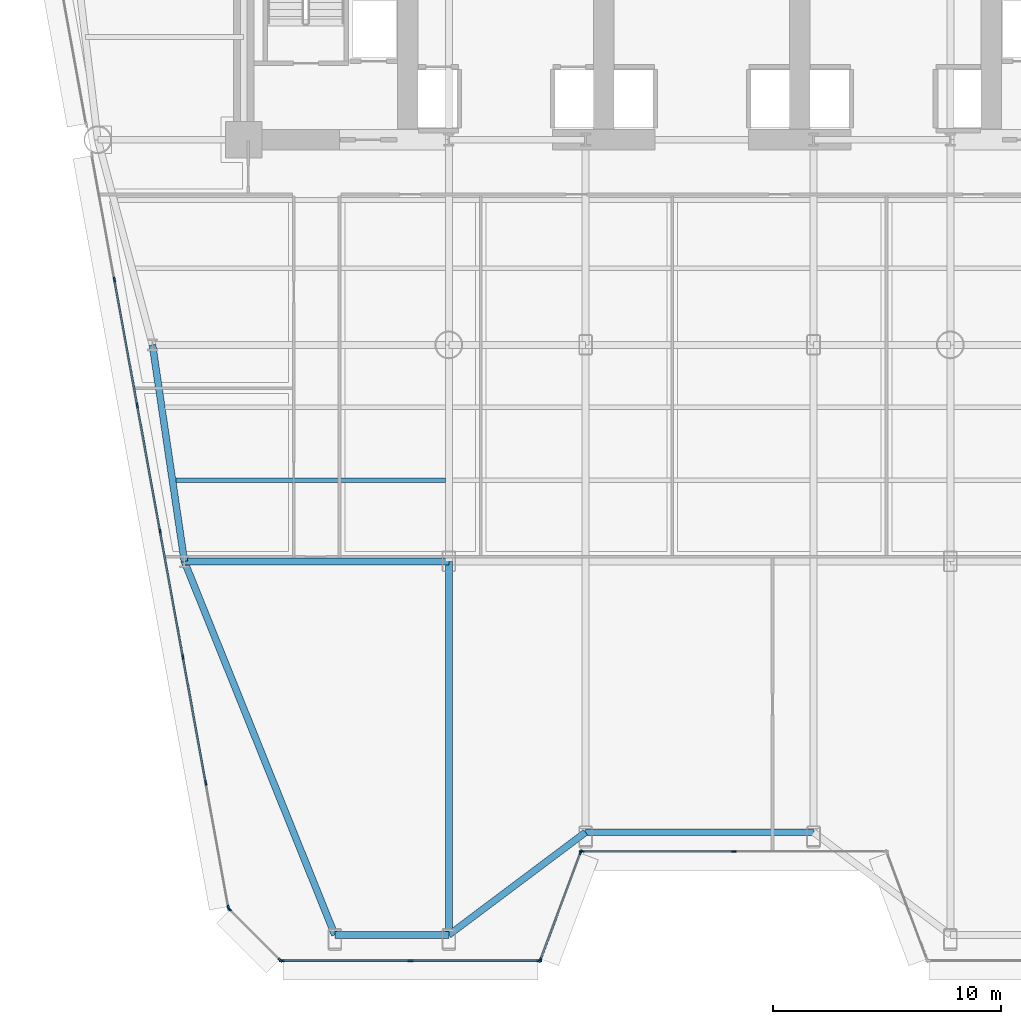
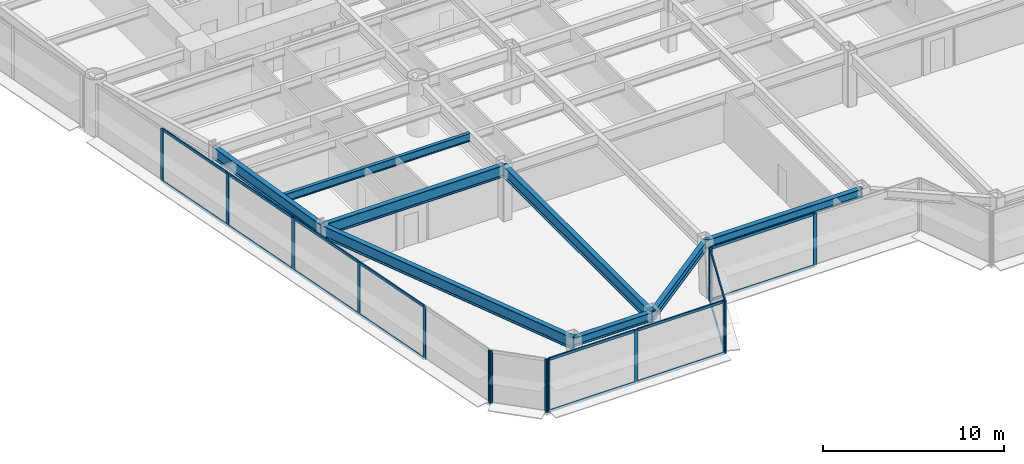
# One storey, part 2 of 14: 31 members, 8 beams, 5 elements without a shape of their own.
"""IFC4 building model written with IfcOpenShell, lengths in metres."""

from ifc_helpers import new_model, si_unit, direction, frame, origin, origin_2d, place, context, subcontext, project, spatial, rectangle, i_section, extrude, source, transform, mapped, material, layer, layer_set, material_profile, profile_set, type_object, element, aggregate, save


model = new_model("IFC4")

# Units and contexts
model_context = context("Model", 3, precision=1e-05, world=origin(), true_north=direction((0.0, 1.0)))
body_context = subcontext(model_context, "Body", "Model", "MODEL_VIEW")
ifc_project = project(units=[si_unit("LENGTHUNIT", "METRE"), si_unit("AREAUNIT", "SQUARE_METRE"), si_unit("VOLUMEUNIT", "CUBIC_METRE"), si_unit("PLANEANGLEUNIT", "RADIAN"), si_unit("MASSUNIT", "GRAM", prefix="KILO")], contexts=[model_context])

# Site, building, storey
site_placement = place(None, origin())
site = spatial("IfcSite", under=ifc_project, at=site_placement, CompositionType="ELEMENT")
building_placement = place(site_placement, origin())
building = spatial("IfcBuilding", under=site, at=building_placement, Name="Vaeldorn Concourse Tower", CompositionType="ELEMENT")
storey_placement = place(building_placement, frame((0.0, 0.0, 26.39990234375)))
storey = spatial("IfcBuildingStorey", under=building, at=storey_placement, Name="L06", CompositionType="ELEMENT", Elevation=26.39990234375)

# Beams
ifc_material_1 = material(Name="Steel S355", Category="steel")
ifc_material_profile_1 = material_profile(ifc_material_1, i_section(OverallWidth=0.300048828125, OverallDepth=0.60009765625, WebThickness=0.015380859375, FlangeThickness=0.030029296875, FilletRadius=0.027099609375, at=origin_2d()), Name="HEB 600")
ifc_profile_set_1 = profile_set([ifc_material_profile_1], Name="Steel S355")
beam_type_1 = type_object("IfcBeamType", Name="BM-SP-HEB600", PredefinedType="SPANDREL", material=ifc_profile_set_1)
shared_shape_1 = source(origin(), body_context, "Body", "SweptSolid", [
    extrude(i_section(OverallWidth=0.300048828125, OverallDepth=0.60009765625, WebThickness=0.015380859375, FlangeThickness=0.030029296875, FilletRadius=0.027099609375, at=origin_2d()), origin(), (0.0, 0.0, 1.0), 5.0),
])
beam_1_placement = place(storey_placement, frame((18.0, 1.6171875, 3.280029296875), z_axis=(1.0, 0.0, 0.0), x_axis=(0.0, 1.0, 0.0)))
element("IfcBeam", 1, at=beam_1_placement, inside=storey, type_object=beam_type_1, Name="Beam BM-L06-C-SF1-C-SF2", PredefinedType="SPANDREL", context=body_context, shape_type="MappedRepresentation", body=[
    mapped(shared_shape_1, transform((0.0, 0.0, 0.0), scale=1.0)),
])
shared_shape_2 = source(origin(), body_context, "Body", "SweptSolid", [
    extrude(i_section(OverallWidth=0.300048828125, OverallDepth=0.60009765625, WebThickness=0.015380859375, FlangeThickness=0.030029296875, FilletRadius=0.027099609375, at=origin_2d()), origin(), (0.0, 0.0, 1.0), 7.5),
])
beam_2_placement = place(storey_placement, frame((23.0, 1.6171875, 3.280029296875), z_axis=(0.8, 0.6, 0.0), x_axis=(-0.6, 0.8, 0.0)))
element("IfcBeam", 2, at=beam_2_placement, inside=storey, type_object=beam_type_1, Name="Beam BM-L06-C-SF2-C-SF3", PredefinedType="SPANDREL", context=body_context, shape_type="MappedRepresentation", body=[
    mapped(shared_shape_2, transform((0.0, 0.0, 0.0), scale=1.0)),
])
shared_shape_3 = source(origin(), body_context, "Body", "SweptSolid", [
    extrude(i_section(OverallWidth=0.300048828125, OverallDepth=0.60009765625, WebThickness=0.015380859375, FlangeThickness=0.030029296875, FilletRadius=0.027099609375, at=origin_2d()), origin(), (0.0, 0.0, 1.0), 10.0),
])
beam_3_placement = place(storey_placement, frame((29.0, 6.1171875, 3.280029296875), z_axis=(1.0, 0.0, 0.0), x_axis=(0.0, 1.0, 0.0)))
element("IfcBeam", 3, at=beam_3_placement, inside=storey, type_object=beam_type_1, Name="Beam BM-L06-C-SF3-C-SF4", PredefinedType="SPANDREL", context=body_context, shape_type="MappedRepresentation", body=[
    mapped(shared_shape_3, transform((0.0, 0.0, 0.0), scale=1.0)),
])
ifc_material_profile_2 = material_profile(ifc_material_1, i_section(OverallWidth=0.300048828125, OverallDepth=0.800048828125, WebThickness=0.017578125, FlangeThickness=0.032958984375, FilletRadius=0.030029296875, at=origin_2d()), Name="HEB 800")
ifc_profile_set_2 = profile_set([ifc_material_profile_2], Name="Steel S355")
beam_type_2 = type_object("IfcBeamType", Name="BM-PG-HEB800", PredefinedType="BEAM", material=ifc_profile_set_2)
shared_shape_4 = source(origin(), body_context, "Body", "SweptSolid", [
    extrude(i_section(OverallWidth=0.300048828125, OverallDepth=0.800048828125, WebThickness=0.017578125, FlangeThickness=0.032958984375, FilletRadius=0.030029296875, at=origin_2d()), origin(), (0.0, 0.0, 1.0), 9.6025390625),
])
beam_4_placement = place(storey_placement, frame((10.0, 27.5, 3.18017578125), z_axis=(0.145783835977, -0.989316467652, 0.0), x_axis=(0.989316467652, 0.145783835977, 0.0)))
element("IfcBeam", 4, at=beam_4_placement, inside=storey, type_object=beam_type_2, Name="Beam BM-L06-C-FLW1-C-FLW2", PredefinedType="BEAM", context=body_context, shape_type="MappedRepresentation", body=[
    mapped(shared_shape_4, transform((0.0, 0.0, 0.0), scale=1.0)),
])
shared_shape_5 = source(origin(), body_context, "Body", "SweptSolid", [
    extrude(i_section(OverallWidth=0.300048828125, OverallDepth=0.800048828125, WebThickness=0.017578125, FlangeThickness=0.032958984375, FilletRadius=0.030029296875, at=origin_2d()), origin(), (0.0, 0.0, 1.0), 11.60009765625),
])
beam_5_placement = place(storey_placement, frame((11.39990234375, 18.0, 3.18017578125), z_axis=(1.0, 0.0, 0.0), x_axis=(0.0, 1.0, 0.0)))
element("IfcBeam", 5, at=beam_5_placement, inside=storey, type_object=beam_type_2, Name="Beam BM-L06-C-FLW2-C-TW5", PredefinedType="BEAM", context=body_context, shape_type="MappedRepresentation", body=[
    mapped(shared_shape_5, transform((0.0, 0.0, 0.0), scale=1.0)),
])
shared_shape_6 = source(origin(), body_context, "Body", "SweptSolid", [
    extrude(i_section(OverallWidth=0.300048828125, OverallDepth=0.800048828125, WebThickness=0.017578125, FlangeThickness=0.032958984375, FilletRadius=0.030029296875, at=origin_2d()), origin(), (0.0, 0.0, 1.0), 17.662353515625),
])
beam_6_placement = place(storey_placement, frame((18.0, 1.6171875, 3.18017578125), z_axis=(-0.373682201624, 0.927556797285, 0.0), x_axis=(-0.927556797285, -0.373682201624, 0.0)))
element("IfcBeam", 6, at=beam_6_placement, inside=storey, type_object=beam_type_2, Name="Beam BM-L06-C-SF1-C-FLW2", PredefinedType="BEAM", context=body_context, shape_type="MappedRepresentation", body=[
    mapped(shared_shape_6, transform((0.0, 0.0, 0.0), scale=1.0)),
])
shared_shape_7 = source(origin(), body_context, "Body", "SweptSolid", [
    extrude(i_section(OverallWidth=0.300048828125, OverallDepth=0.800048828125, WebThickness=0.017578125, FlangeThickness=0.032958984375, FilletRadius=0.030029296875, at=origin_2d()), origin(), (0.0, 0.0, 1.0), 16.3828125),
])
beam_7_placement = place(storey_placement, frame((23.0, 1.6171875, 3.18017578125), z_axis=(0.0, 1.0, 0.0), x_axis=(-1.0, 0.0, 0.0)))
element("IfcBeam", 7, at=beam_7_placement, inside=storey, type_object=beam_type_2, Name="Beam BM-L06-C-SF2-C-TW5", PredefinedType="BEAM", context=body_context, shape_type="MappedRepresentation", body=[
    mapped(shared_shape_7, transform((0.0, 0.0, 0.0), scale=1.0)),
])
ifc_material_profile_3 = material_profile(ifc_material_1, i_section(OverallWidth=0.2099609375, OverallDepth=0.550048828125, WebThickness=0.010986328125, FlangeThickness=0.01708984375, FilletRadius=0.02392578125, at=origin_2d()), Name="IPE 550")
ifc_profile_set_3 = profile_set([ifc_material_profile_3], Name="Steel S355")
beam_type_3 = type_object("IfcBeamType", Name="BM-JS-IPE550", PredefinedType="JOIST", material=ifc_profile_set_3)
shared_shape_8 = source(origin(), body_context, "Body", "SweptSolid", [
    extrude(i_section(OverallWidth=0.2099609375, OverallDepth=0.550048828125, WebThickness=0.010986328125, FlangeThickness=0.01708984375, FilletRadius=0.02392578125, at=origin_2d()), origin(), (0.0, 0.0, 1.0), 11.82470703125),
])
beam_8_placement = place(storey_placement, frame((11.025390625, 21.56005859375, 3.30517578125), z_axis=(1.0, 0.0, 0.0), x_axis=(0.0, 1.0, 0.0)))
element("IfcBeam", 8, at=beam_8_placement, inside=storey, type_object=beam_type_3, Name="Beam JS-L06-W1-215", PredefinedType="JOIST", context=body_context, shape_type="MappedRepresentation", body=[
    mapped(shared_shape_8, transform((0.0, 0.0, 0.0), scale=1.0)),
])

# Curtain wall, members
ifc_material_2 = material(Name="Anodised Bronze Aluminium", Category="aluminium")
ifc_layer = layer(ifc_material_2, 0.219970703125)
ifc_layer_set = layer_set([ifc_layer], Name="Anodised Bronze Aluminium")
curtain_wall_type = type_object("IfcCurtainWallType", Name="CW-SYS-01", PredefinedType="NOTDEFINED", material=ifc_layer_set)
curtain_wall_1_placement = place(storey_placement, origin())
curtain_wall_1 = element("IfcCurtainWall", 9, at=curtain_wall_1_placement, inside=storey, type_object=curtain_wall_type, Name="Unitised Curtain Wall CW-L06-E03-1", PredefinedType="NOTDEFINED")
ifc_material_profile_4 = material_profile(ifc_material_2, rectangle(XDim=0.074951171875, YDim=0.179931640625, at=origin_2d()), Name="CWT 75x180")
ifc_profile_set_4 = profile_set([ifc_material_profile_4], Name="Anodised Bronze Aluminium")
member_type_1 = type_object("IfcMemberType", Name="CWT-BRONZE-180", PredefinedType="USERDEFINED", material=ifc_profile_set_4)
shared_shape_9 = source(origin(), body_context, "Body", "SweptSolid", [
    extrude(rectangle(XDim=0.074951171875, YDim=0.179931640625, at=origin_2d()), origin(), (0.0, 0.0, 1.0), 6.58740234375),
])
member_1_placement = place(storey_placement, frame((28.875, 5.2783203125, 0.03759765625), z_axis=(1.0, 0.0, 0.0), x_axis=(0.0, 1.0, 0.0)))
member_1 = element("IfcMember", 10, at=member_1_placement, type_object=member_type_1, Name="CW-01 transom 1.1", ObjectType="TRANSOM", PredefinedType="USERDEFINED", context=body_context, shape_type="MappedRepresentation", body=[
    mapped(shared_shape_9, transform((0.0, 0.0, 0.0), scale=1.0)),
])
member_2_placement = place(storey_placement, frame((28.875, 5.2783203125, 3.54248046875), z_axis=(1.0, 0.0, 0.0), x_axis=(0.0, 1.0, 0.0)))
member_2 = element("IfcMember", 11, at=member_2_placement, type_object=member_type_1, Name="CW-01 transom 1.2", ObjectType="TRANSOM", PredefinedType="USERDEFINED", context=body_context, shape_type="MappedRepresentation", body=[
    mapped(shared_shape_9, transform((0.0, 0.0, 0.0), scale=1.0)),
])

curtain_wall_2_placement = place(storey_placement, origin())
curtain_wall_2 = element("IfcCurtainWall", 12, at=curtain_wall_2_placement, inside=storey, type_object=curtain_wall_type, Name="Unitised Curtain Wall CW-L06-E02-1", PredefinedType="NOTDEFINED")
shared_shape_10 = source(origin(), body_context, "Body", "SweptSolid", [
    extrude(rectangle(XDim=0.074951171875, YDim=0.179931640625, at=origin_2d()), origin(), (0.0, 0.0, 1.0), 4.9765625),
])
member_3_placement = place(storey_placement, frame((27.0263671875, 0.54833984375, 0.03759765625), z_axis=(0.351112688987, 0.936333209724, 0.0), x_axis=(-0.936333209724, 0.351112688987, 0.0)))
member_3 = element("IfcMember", 13, at=member_3_placement, type_object=member_type_1, Name="CW-01 transom 1.1", ObjectType="TRANSOM", PredefinedType="USERDEFINED", context=body_context, shape_type="MappedRepresentation", body=[
    mapped(shared_shape_10, transform((0.0, 0.0, 0.0), scale=1.0)),
])
member_4_placement = place(storey_placement, frame((27.0263671875, 0.54833984375, 3.54248046875), z_axis=(0.351112688987, 0.936333209724, 0.0), x_axis=(-0.936333209724, 0.351112688987, 0.0)))
member_4 = element("IfcMember", 14, at=member_4_placement, type_object=member_type_1, Name="CW-01 transom 1.2", ObjectType="TRANSOM", PredefinedType="USERDEFINED", context=body_context, shape_type="MappedRepresentation", body=[
    mapped(shared_shape_10, transform((0.0, 0.0, 0.0), scale=1.0)),
])

curtain_wall_3_placement = place(storey_placement, origin())
curtain_wall_3 = element("IfcCurtainWall", 15, at=curtain_wall_3_placement, inside=storey, type_object=curtain_wall_type, Name="Unitised Curtain Wall CW-L06-E01-1", PredefinedType="NOTDEFINED")
ifc_material_profile_5 = material_profile(ifc_material_2, rectangle(XDim=0.074951171875, YDim=0.219970703125, at=origin_2d()), Name="CWM 75x220")
ifc_profile_set_5 = profile_set([ifc_material_profile_5], Name="Anodised Bronze Aluminium")
member_type_2 = type_object("IfcMemberType", Name="CWM-BRONZE-220", PredefinedType="MULLION", material=ifc_profile_set_5)
shared_shape_11 = source(origin(), body_context, "Body", "SweptSolid", [
    extrude(rectangle(XDim=0.074951171875, YDim=0.219970703125, at=origin_2d()), origin(), (0.0, 0.0, 1.0), 3.580078125),
])
member_5_placement = place(storey_placement, frame((15.673583984375, 0.478271484375, 0.0), z_axis=(0.0, 0.0, 1.0), x_axis=(0.0, 1.0, 0.0)))
member_5 = element("IfcMember", 16, at=member_5_placement, type_object=member_type_2, Name="CW-01 mullion 1", PredefinedType="MULLION", context=body_context, shape_type="MappedRepresentation", body=[
    mapped(shared_shape_11, transform((0.0, 0.0, 0.0), scale=1.0)),
])
member_6_placement = place(storey_placement, frame((21.318115234375, 0.478271484375, 0.0), z_axis=(0.0, 0.0, 1.0), x_axis=(0.0, 1.0, 0.0)))
member_6 = element("IfcMember", 17, at=member_6_placement, type_object=member_type_2, Name="CW-01 mullion 2", PredefinedType="MULLION", context=body_context, shape_type="MappedRepresentation", body=[
    mapped(shared_shape_11, transform((0.0, 0.0, 0.0), scale=1.0)),
])
member_7_placement = place(storey_placement, frame((26.96240234375, 0.478271484375, 0.0), z_axis=(0.0, 0.0, 1.0), x_axis=(0.0, 1.0, 0.0)))
member_7 = element("IfcMember", 18, at=member_7_placement, type_object=member_type_2, Name="CW-01 mullion 3", PredefinedType="MULLION", context=body_context, shape_type="MappedRepresentation", body=[
    mapped(shared_shape_11, transform((0.0, 0.0, 0.0), scale=1.0)),
])

# Member
member_8_placement = place(storey_placement, frame((27.01318359375, 0.513427734375, 0.0), z_axis=(0.0, 0.0, 1.0), x_axis=(-0.936329177566, 0.351123441595, 0.0)))
member_8 = element("IfcMember", 19, at=member_8_placement, type_object=member_type_2, Name="CW-01 mullion 1", PredefinedType="MULLION", context=body_context, shape_type="MappedRepresentation", body=[
    mapped(shared_shape_11, transform((0.0, 0.0, 0.0), scale=1.0)),
])

member_9_placement = place(storey_placement, frame((28.786865234375, 5.2431640625, 0.0), z_axis=(0.0, 0.0, 1.0), x_axis=(-0.936329177566, 0.351123441595, 0.0)))
member_9 = element("IfcMember", 20, at=member_9_placement, type_object=member_type_2, Name="CW-01 mullion 2", PredefinedType="MULLION", context=body_context, shape_type="MappedRepresentation", body=[
    mapped(shared_shape_11, transform((0.0, 0.0, 0.0), scale=1.0)),
])

aggregate(curtain_wall_2, [member_8, member_9, member_3, member_4])

member_10_placement = place(storey_placement, frame((28.83740234375, 5.2783203125, 0.0), z_axis=(0.0, 0.0, 1.0), x_axis=(0.0, 1.0, 0.0)))
member_10 = element("IfcMember", 21, at=member_10_placement, type_object=member_type_2, Name="CW-01 mullion 1", PredefinedType="MULLION", context=body_context, shape_type="MappedRepresentation", body=[
    mapped(shared_shape_11, transform((0.0, 0.0, 0.0), scale=1.0)),
])

member_11_placement = place(storey_placement, frame((35.5, 5.2783203125, 0.0), z_axis=(0.0, 0.0, 1.0), x_axis=(0.0, 1.0, 0.0)))
member_11 = element("IfcMember", 22, at=member_11_placement, type_object=member_type_2, Name="CW-01 mullion 2", PredefinedType="MULLION", context=body_context, shape_type="MappedRepresentation", body=[
    mapped(shared_shape_11, transform((0.0, 0.0, 0.0), scale=1.0)),
])

aggregate(curtain_wall_1, [member_10, member_11, member_1, member_2])

# Curtain wall, members
curtain_wall_4_placement = place(storey_placement, origin())
curtain_wall_4 = element("IfcCurtainWall", 23, at=curtain_wall_4_placement, inside=storey, type_object=curtain_wall_type, Name="Unitised Curtain Wall CW-L06-E11-2", PredefinedType="NOTDEFINED")
member_12_placement = place(storey_placement, frame((8.32861328125, 30.363525390625, 0.0), z_axis=(0.0, 0.0, 1.0), x_axis=(0.983920092351, 0.178609215521, 0.0)))
member_12 = element("IfcMember", 24, at=member_12_placement, type_object=member_type_2, Name="CW-01 mullion 2", PredefinedType="MULLION", context=body_context, shape_type="MappedRepresentation", body=[
    mapped(shared_shape_11, transform((0.0, 0.0, 0.0), scale=1.0)),
])
member_13_placement = place(storey_placement, frame((9.330078125, 24.846435546875, 0.0), z_axis=(0.0, 0.0, 1.0), x_axis=(0.983920092351, 0.178609215521, 0.0)))
member_13 = element("IfcMember", 25, at=member_13_placement, type_object=member_type_2, Name="CW-01 mullion 3", PredefinedType="MULLION", context=body_context, shape_type="MappedRepresentation", body=[
    mapped(shared_shape_11, transform((0.0, 0.0, 0.0), scale=1.0)),
])
member_14_placement = place(storey_placement, frame((10.33154296875, 19.329345703125, 0.0), z_axis=(0.0, 0.0, 1.0), x_axis=(0.983920092351, 0.178609215521, 0.0)))
member_14 = element("IfcMember", 26, at=member_14_placement, type_object=member_type_2, Name="CW-01 mullion 4", PredefinedType="MULLION", context=body_context, shape_type="MappedRepresentation", body=[
    mapped(shared_shape_11, transform((0.0, 0.0, 0.0), scale=1.0)),
])
member_15_placement = place(storey_placement, frame((11.3330078125, 13.812255859375, 0.0), z_axis=(0.0, 0.0, 1.0), x_axis=(0.983920092351, 0.178609215521, 0.0)))
member_15 = element("IfcMember", 27, at=member_15_placement, type_object=member_type_2, Name="CW-01 mullion 5", PredefinedType="MULLION", context=body_context, shape_type="MappedRepresentation", body=[
    mapped(shared_shape_11, transform((0.0, 0.0, 0.0), scale=1.0)),
])
member_16_placement = place(storey_placement, frame((12.334716796875, 8.295166015625, 0.0), z_axis=(0.0, 0.0, 1.0), x_axis=(0.983920092351, 0.178609215521, 0.0)))
member_16 = element("IfcMember", 28, at=member_16_placement, type_object=member_type_2, Name="CW-01 mullion 6", PredefinedType="MULLION", context=body_context, shape_type="MappedRepresentation", body=[
    mapped(shared_shape_11, transform((0.0, 0.0, 0.0), scale=1.0)),
])
member_17_placement = place(storey_placement, frame((13.329345703125, 2.815185546875, 0.0), z_axis=(0.0, 0.0, 1.0), x_axis=(0.983920092351, 0.178609215521, 0.0)))
member_17 = element("IfcMember", 29, at=member_17_placement, type_object=member_type_2, Name="CW-01 mullion 7", PredefinedType="MULLION", context=body_context, shape_type="MappedRepresentation", body=[
    mapped(shared_shape_11, transform((0.0, 0.0, 0.0), scale=1.0)),
])

curtain_wall_5_placement = place(storey_placement, origin())
curtain_wall_5 = element("IfcCurtainWall", 30, at=curtain_wall_5_placement, inside=storey, type_object=curtain_wall_type, Name="Unitised Curtain Wall CW-L06-E12-1", PredefinedType="NOTDEFINED")
member_18_placement = place(storey_placement, frame((13.362548828125, 2.751708984375, 0.0), z_axis=(0.0, 0.0, 1.0), x_axis=(0.707106781187, 0.707106781187, 0.0)))
member_18 = element("IfcMember", 31, at=member_18_placement, type_object=member_type_2, Name="CW-01 mullion 1", PredefinedType="MULLION", context=body_context, shape_type="MappedRepresentation", body=[
    mapped(shared_shape_11, transform((0.0, 0.0, 0.0), scale=1.0)),
])
member_19_placement = place(storey_placement, frame((15.609619140625, 0.504638671875, 0.0), z_axis=(0.0, 0.0, 1.0), x_axis=(0.707106781187, 0.707106781187, 0.0)))
member_19 = element("IfcMember", 32, at=member_19_placement, type_object=member_type_2, Name="CW-01 mullion 2", PredefinedType="MULLION", context=body_context, shape_type="MappedRepresentation", body=[
    mapped(shared_shape_11, transform((0.0, 0.0, 0.0), scale=1.0)),
])
aggregate(curtain_wall_5, [member_18, member_19])

# Member
shared_shape_12 = source(origin(), body_context, "Body", "SweptSolid", [
    extrude(rectangle(XDim=0.074951171875, YDim=0.179931640625, at=origin_2d()), origin(), (0.0, 0.0, 1.0), 5.5693359375),
])
member_20_placement = place(storey_placement, frame((15.711181640625, 0.478271484375, 0.03759765625), z_axis=(1.0, 0.0, 0.0), x_axis=(0.0, 1.0, 0.0)))
member_20 = element("IfcMember", 33, at=member_20_placement, type_object=member_type_1, Name="CW-01 transom 1.1", ObjectType="TRANSOM", PredefinedType="USERDEFINED", context=body_context, shape_type="MappedRepresentation", body=[
    mapped(shared_shape_12, transform((0.0, 0.0, 0.0), scale=1.0)),
])

member_21_placement = place(storey_placement, frame((15.711181640625, 0.478271484375, 3.54248046875), z_axis=(1.0, 0.0, 0.0), x_axis=(0.0, 1.0, 0.0)))
member_21 = element("IfcMember", 34, at=member_21_placement, type_object=member_type_1, Name="CW-01 transom 1.2", ObjectType="TRANSOM", PredefinedType="USERDEFINED", context=body_context, shape_type="MappedRepresentation", body=[
    mapped(shared_shape_12, transform((0.0, 0.0, 0.0), scale=1.0)),
])

shared_shape_13 = source(origin(), body_context, "Body", "SweptSolid", [
    extrude(rectangle(XDim=0.074951171875, YDim=0.179931640625, at=origin_2d()), origin(), (0.0, 0.0, 1.0), 5.569580078125),
])
member_22_placement = place(storey_placement, frame((21.35546875, 0.478271484375, 0.03759765625), z_axis=(1.0, 0.0, 0.0), x_axis=(0.0, 1.0, 0.0)))
member_22 = element("IfcMember", 35, at=member_22_placement, type_object=member_type_1, Name="CW-01 transom 2.1", ObjectType="TRANSOM", PredefinedType="USERDEFINED", context=body_context, shape_type="MappedRepresentation", body=[
    mapped(shared_shape_13, transform((0.0, 0.0, 0.0), scale=1.0)),
])

member_23_placement = place(storey_placement, frame((21.35546875, 0.478271484375, 3.54248046875), z_axis=(1.0, 0.0, 0.0), x_axis=(0.0, 1.0, 0.0)))
member_23 = element("IfcMember", 36, at=member_23_placement, type_object=member_type_1, Name="CW-01 transom 2.2", ObjectType="TRANSOM", PredefinedType="USERDEFINED", context=body_context, shape_type="MappedRepresentation", body=[
    mapped(shared_shape_13, transform((0.0, 0.0, 0.0), scale=1.0)),
])

aggregate(curtain_wall_3, [member_5, member_6, member_7, member_20, member_21, member_22, member_23])

shared_shape_14 = source(origin(), body_context, "Body", "SweptSolid", [
    extrude(rectangle(XDim=0.074951171875, YDim=0.179931640625, at=origin_2d()), origin(), (0.0, 0.0, 1.0), 5.5322265625),
])
member_24_placement = place(storey_placement, frame((8.335205078125, 30.32666015625, 0.03759765625), z_axis=(0.178636894205, -0.983915067487, 0.0), x_axis=(0.983915067487, 0.178636894205, 0.0)))
member_24 = element("IfcMember", 37, at=member_24_placement, type_object=member_type_1, Name="CW-01 transom 2.1", ObjectType="TRANSOM", PredefinedType="USERDEFINED", context=body_context, shape_type="MappedRepresentation", body=[
    mapped(shared_shape_14, transform((0.0, 0.0, 0.0), scale=1.0)),
])

member_25_placement = place(storey_placement, frame((8.335205078125, 30.32666015625, 3.54248046875), z_axis=(0.178636894205, -0.983915067487, 0.0), x_axis=(0.983915067487, 0.178636894205, 0.0)))
member_25 = element("IfcMember", 38, at=member_25_placement, type_object=member_type_1, Name="CW-01 transom 2.2", ObjectType="TRANSOM", PredefinedType="USERDEFINED", context=body_context, shape_type="MappedRepresentation", body=[
    mapped(shared_shape_14, transform((0.0, 0.0, 0.0), scale=1.0)),
])

member_26_placement = place(storey_placement, frame((9.3369140625, 24.8095703125, 0.03759765625), z_axis=(0.17859417226, -0.983922823007, 0.0), x_axis=(0.983922823007, 0.17859417226, 0.0)))
member_26 = element("IfcMember", 39, at=member_26_placement, type_object=member_type_1, Name="CW-01 transom 3.1", ObjectType="TRANSOM", PredefinedType="USERDEFINED", context=body_context, shape_type="MappedRepresentation", body=[
    mapped(shared_shape_14, transform((0.0, 0.0, 0.0), scale=1.0)),
])

member_27_placement = place(storey_placement, frame((9.3369140625, 24.8095703125, 3.54248046875), z_axis=(0.17859417226, -0.983922823007, 0.0), x_axis=(0.983922823007, 0.17859417226, 0.0)))
member_27 = element("IfcMember", 40, at=member_27_placement, type_object=member_type_1, Name="CW-01 transom 3.2", ObjectType="TRANSOM", PredefinedType="USERDEFINED", context=body_context, shape_type="MappedRepresentation", body=[
    mapped(shared_shape_14, transform((0.0, 0.0, 0.0), scale=1.0)),
])

member_28_placement = place(storey_placement, frame((10.33837890625, 19.29248046875, 0.03759765625), z_axis=(0.17859417226, -0.983922823007, 0.0), x_axis=(0.983922823007, 0.17859417226, 0.0)))
member_28 = element("IfcMember", 41, at=member_28_placement, type_object=member_type_1, Name="CW-01 transom 4.1", ObjectType="TRANSOM", PredefinedType="USERDEFINED", context=body_context, shape_type="MappedRepresentation", body=[
    mapped(shared_shape_14, transform((0.0, 0.0, 0.0), scale=1.0)),
])

member_29_placement = place(storey_placement, frame((10.33837890625, 19.29248046875, 3.54248046875), z_axis=(0.17859417226, -0.983922823007, 0.0), x_axis=(0.983922823007, 0.17859417226, 0.0)))
member_29 = element("IfcMember", 42, at=member_29_placement, type_object=member_type_1, Name="CW-01 transom 4.2", ObjectType="TRANSOM", PredefinedType="USERDEFINED", context=body_context, shape_type="MappedRepresentation", body=[
    mapped(shared_shape_14, transform((0.0, 0.0, 0.0), scale=1.0)),
])

member_30_placement = place(storey_placement, frame((11.33984375, 13.775390625, 0.03759765625), z_axis=(0.17859417226, -0.983922823007, 0.0), x_axis=(0.983922823007, 0.17859417226, 0.0)))
member_30 = element("IfcMember", 43, at=member_30_placement, type_object=member_type_1, Name="CW-01 transom 5.1", ObjectType="TRANSOM", PredefinedType="USERDEFINED", context=body_context, shape_type="MappedRepresentation", body=[
    mapped(shared_shape_14, transform((0.0, 0.0, 0.0), scale=1.0)),
])

member_31_placement = place(storey_placement, frame((11.33984375, 13.775390625, 3.54248046875), z_axis=(0.17859417226, -0.983922823007, 0.0), x_axis=(0.983922823007, 0.17859417226, 0.0)))
member_31 = element("IfcMember", 44, at=member_31_placement, type_object=member_type_1, Name="CW-01 transom 5.2", ObjectType="TRANSOM", PredefinedType="USERDEFINED", context=body_context, shape_type="MappedRepresentation", body=[
    mapped(shared_shape_14, transform((0.0, 0.0, 0.0), scale=1.0)),
])

aggregate(curtain_wall_4, [member_12, member_13, member_14, member_15, member_16, member_17, member_24, member_25, member_26, member_27, member_28, member_29, member_30, member_31])

save(model, "model.ifc")
